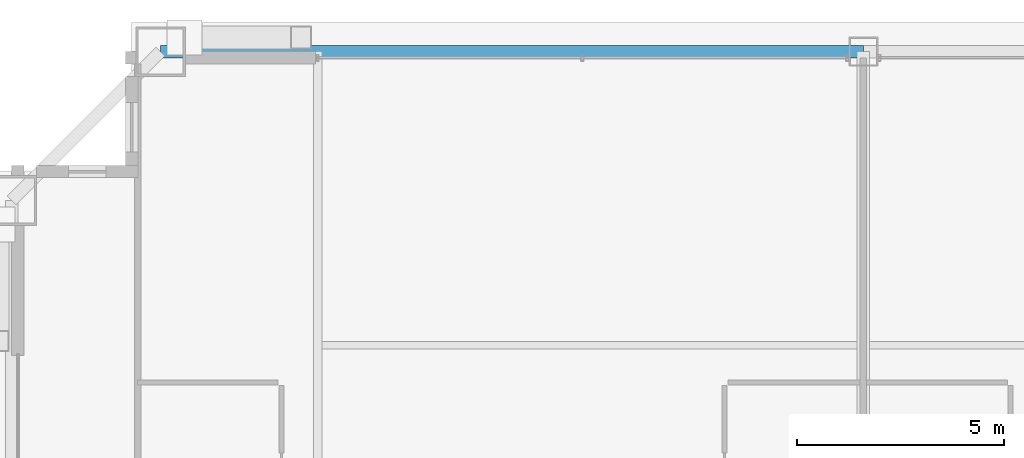
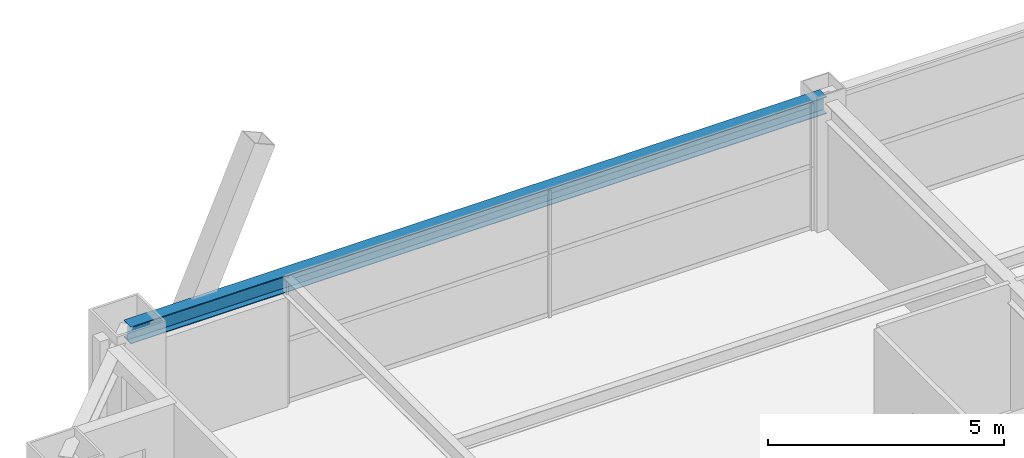
# One storey, part 24 of 35: 1 beam.
"""IFC4 building model written with IfcOpenShell, lengths in metres."""

from ifc_helpers import new_model, si_unit, direction, frame, origin, origin_2d, place, context, subcontext, project, spatial, i_section, extrude, source, transform, mapped, material, material_profile, profile_set, type_object, element, save


model = new_model("IFC4")

# Units and contexts
model_context = context("Model", 3, precision=1e-05, world=origin(), true_north=direction((0.0, 1.0)))
body_context = subcontext(model_context, "Body", "Model", "MODEL_VIEW")
ifc_project = project(units=[si_unit("LENGTHUNIT", "METRE"), si_unit("AREAUNIT", "SQUARE_METRE"), si_unit("VOLUMEUNIT", "CUBIC_METRE"), si_unit("PLANEANGLEUNIT", "RADIAN"), si_unit("MASSUNIT", "GRAM", prefix="KILO"), si_unit("THERMODYNAMICTEMPERATUREUNIT", "KELVIN"), si_unit("POWERUNIT", "WATT")], contexts=[model_context])

# Site, building, storey
site_placement = place(None, origin())
site = spatial("IfcSite", under=ifc_project, at=site_placement, CompositionType="ELEMENT")
building_placement = place(site_placement, origin())
building = spatial("IfcBuilding", under=site, at=building_placement, Name="Yuzanri Waterfront Tower", CompositionType="ELEMENT")
storey_placement = place(building_placement, frame((0.0, 0.0, 271.60009765625)))
storey = spatial("IfcBuildingStorey", under=building, at=storey_placement, Name="L72", CompositionType="ELEMENT", Elevation=271.60009765625)

# Beam
ifc_material = material(Name="Steel Q355B", Category="steel")
ifc_material_profile = material_profile(ifc_material, i_section(OverallWidth=0.300048828125, OverallDepth=0.43994140625, WebThickness=0.010986328125, FlangeThickness=0.01806640625, at=origin_2d()), Name="HM 440x300x11x18")
ifc_profile_set = profile_set([ifc_material_profile], Name="Steel Q355B")
beam_type = type_object("IfcBeamType", Name="Perimeter Spandrel Q355B HM 440x300", PredefinedType="SPANDREL", material=ifc_profile_set)
shared_shape = source(origin(), body_context, "Body", "SweptSolid", [
    extrude(i_section(OverallWidth=0.300048828125, OverallDepth=0.43994140625, WebThickness=0.010986328125, FlangeThickness=0.01806640625, at=origin_2d()), origin(), (0.0, 0.0, 1.0), 17.0),
])
beam_placement = place(storey_placement, frame((37.0, 46.39990234375, 3.059814453125), z_axis=(-1.0, 0.0, 0.0), x_axis=(0.0, -1.0, 0.0)))
element("IfcBeam", 1, at=beam_placement, inside=storey, type_object=beam_type, Name="L72 Perimeter Spandrel N2-N1", PredefinedType="SPANDREL", context=body_context, shape_type="MappedRepresentation", body=[
    mapped(shared_shape, transform((0.0, 0.0, 0.0), scale=1.0)),
])

save(model, "model.ifc")
